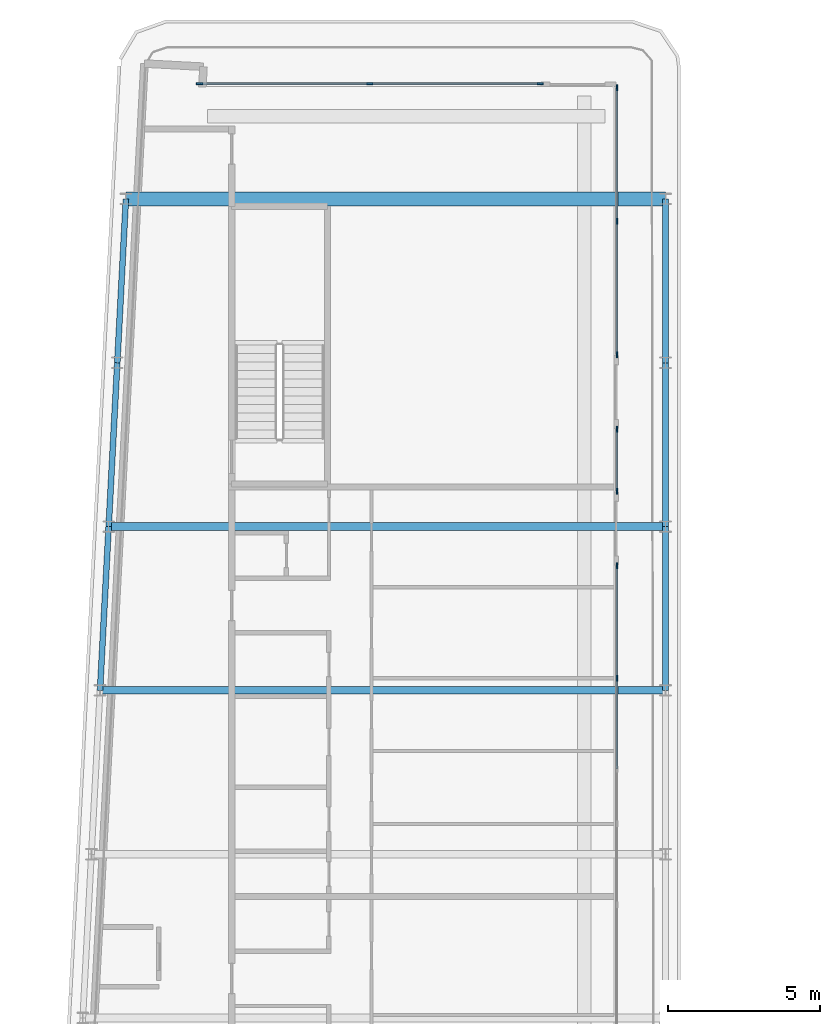
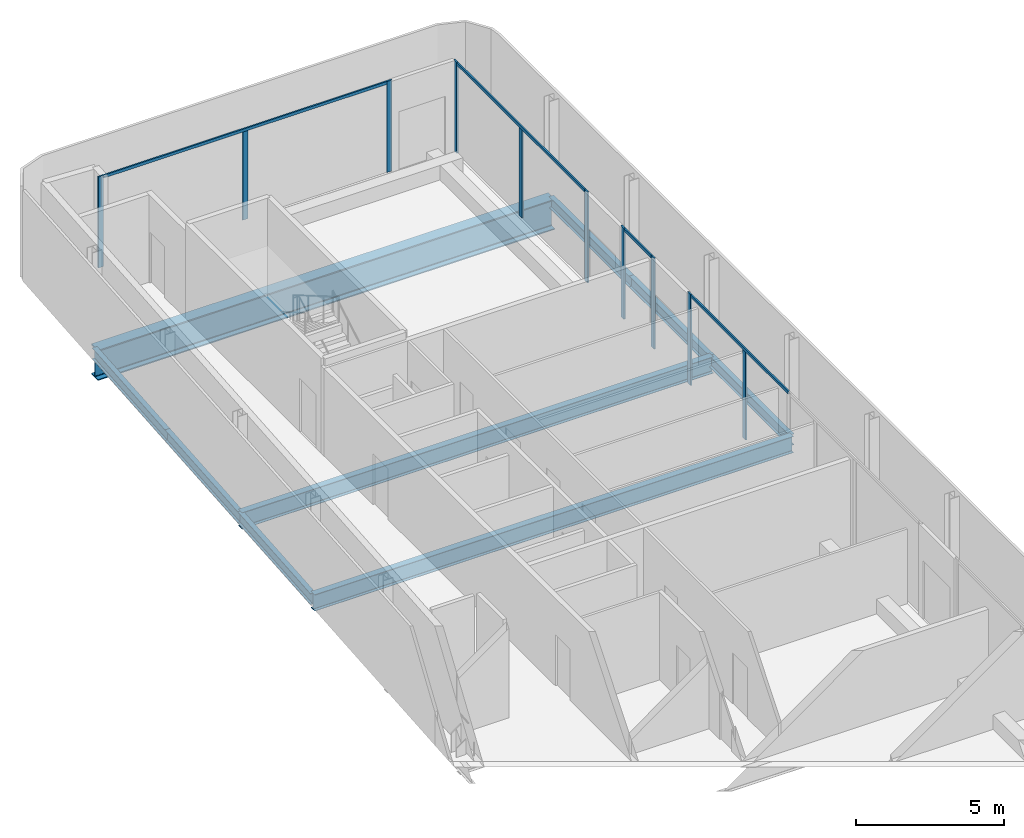
# One storey, part 6 of 19: 14 members, 9 beams, 4 elements without a shape of their own.
"""IFC4 building model written with IfcOpenShell, lengths in metres."""

from ifc_helpers import new_model, si_unit, direction, frame, origin, origin_2d, place, context, subcontext, project, spatial, rectangle, i_section, extrude, material, layer, layer_set, material_profile, profile_set, type_object, element, aggregate, save


model = new_model("IFC4")

# Units and contexts
model_context = context("Model", 3, precision=1e-05, world=origin(), true_north=direction((0.0, 1.0)))
body_context = subcontext(model_context, "Body", "Model", "MODEL_VIEW")
ifc_project = project(units=[si_unit("LENGTHUNIT", "METRE"), si_unit("AREAUNIT", "SQUARE_METRE"), si_unit("VOLUMEUNIT", "CUBIC_METRE"), si_unit("PLANEANGLEUNIT", "RADIAN"), si_unit("MASSUNIT", "GRAM", prefix="KILO")], contexts=[model_context])

# Site, building, storey
site_placement = place(None, origin())
site = spatial("IfcSite", under=ifc_project, at=site_placement, CompositionType="ELEMENT")
building_placement = place(site_placement, origin())
building = spatial("IfcBuilding", under=site, at=building_placement, Name="Kheshtan School and Residences Tower", CompositionType="ELEMENT")
storey_placement = place(building_placement, frame((0.0, 0.0, 357.800048828125)))
storey = spatial("IfcBuildingStorey", under=building, at=storey_placement, Name="L84", CompositionType="ELEMENT", Elevation=357.800048828125)

# Beams
ifc_material_1 = material(Name="Steel ASTM A992 Grade 50", Category="steel")
ifc_material_profile_1 = material_profile(ifc_material_1, i_section(OverallWidth=0.2529296875, OverallDepth=0.677978515625, WebThickness=0.01171875, FlangeThickness=0.016357421875, FilletRadius=0.0146484375, at=origin_2d()), Name="W690x125")
ifc_profile_set_1 = profile_set([ifc_material_profile_1], Name="Steel ASTM A992 Grade 50")
beam_type_1 = type_object("IfcBeamType", Name="Beam FB6 W690x125 ASTM A992 Grade 50", PredefinedType="BEAM", material=ifc_profile_set_1)
beam_1_placement = place(storey_placement, frame((47.60009765625, 78.0, -0.489013671875), z_axis=(-1.0, 0.0, 0.0), x_axis=(0.0, -1.0, 0.0)))
element("IfcBeam", 1, at=beam_1_placement, inside=storey, type_object=beam_type_1, Name="Floor beam C089", PredefinedType="BEAM", context=body_context, shape_type="SweptSolid", body=[
    extrude(i_section(OverallWidth=0.2529296875, OverallDepth=0.677978515625, WebThickness=0.01171875, FlangeThickness=0.016357421875, FilletRadius=0.0146484375, at=origin_2d()), origin(), (0.0, 0.0, 1.0), 18.357177734375),
])
beam_2_placement = place(storey_placement, frame((28.9580078125, 72.60009765625, -0.489013671875), z_axis=(1.0, 0.0, 0.0), x_axis=(0.0, 1.0, 0.0)))
element("IfcBeam", 2, at=beam_2_placement, inside=storey, type_object=beam_type_1, Name="Floor beam C086", PredefinedType="BEAM", context=body_context, shape_type="SweptSolid", body=[
    extrude(i_section(OverallWidth=0.2529296875, OverallDepth=0.677978515625, WebThickness=0.01171875, FlangeThickness=0.016357421875, FilletRadius=0.0146484375, at=origin_2d()), origin(), (0.0, 0.0, 1.0), 18.64208984375),
])
ifc_material_profile_2 = material_profile(ifc_material_1, i_section(OverallWidth=0.18994140625, OverallDepth=0.45703125, WebThickness=0.009033203125, FlangeThickness=0.014404296875, FilletRadius=0.01318359375, at=origin_2d()), Name="W460x74")
ifc_profile_set_2 = profile_set([ifc_material_profile_2], Name="Steel ASTM A992 Grade 50")
beam_type_2 = type_object("IfcBeamType", Name="Beam SP4 W460x74 ASTM A992 Grade 50", PredefinedType="BEAM", material=ifc_profile_set_2)
beam_3_placement = place(storey_placement, frame((47.60009765625, 88.800048828125, -0.378662109375), z_axis=(0.0, -1.0, 0.0), x_axis=(1.0, 0.0, 0.0)))
element("IfcBeam", 3, at=beam_3_placement, inside=storey, type_object=beam_type_2, Name="Spandrel beam C099-C091", PredefinedType="BEAM", context=body_context, shape_type="SweptSolid", body=[
    extrude(i_section(OverallWidth=0.18994140625, OverallDepth=0.45703125, WebThickness=0.009033203125, FlangeThickness=0.014404296875, FilletRadius=0.01318359375, at=origin_2d()), origin(), (0.0, 0.0, 1.0), 5.400146484375),
])
for number, where, z_axis, x_axis, name in (
    (4, (47.60009765625, 83.39990234375, -0.378662109375), (0.0, -1.0, 0.0), (1.0, 0.0, 0.0), "Spandrel beam C091-C089"),
    (5, (47.60009765625, 78.0, -0.378662109375), (0.0, -1.0, 0.0), (1.0, 0.0, 0.0), "Spandrel beam C089-C087"),
):
    element("IfcBeam", number, at=place(storey_placement, frame(where, z_axis=z_axis, x_axis=x_axis)), inside=storey, type_object=beam_type_2, Name=name, PredefinedType="BEAM", context=body_context, shape_type="SweptSolid", body=[
        extrude(i_section(OverallWidth=0.18994140625, OverallDepth=0.45703125, WebThickness=0.009033203125, FlangeThickness=0.014404296875, FilletRadius=0.01318359375, at=origin_2d()), origin(), (0.0, 0.0, 1.0), 5.39990234375),
    ])
for number, where, z_axis, x_axis, name in (
    (6, (28.9580078125, 72.60009765625, -0.378662109375), (0.052689166816, 0.998610961136, 0.0), (-0.998610961136, 0.052689166816, 0.0), "Spandrel beam C086-C088"),
    (7, (29.242919921875, 78.0, -0.378662109375), (0.052554093665, 0.998618078766, 0.0), (-0.998618078766, 0.052554093665, 0.0), "Spandrel beam C088-C090"),
):
    element("IfcBeam", number, at=place(storey_placement, frame(where, z_axis=z_axis, x_axis=x_axis)), inside=storey, type_object=beam_type_2, Name=name, PredefinedType="BEAM", context=body_context, shape_type="SweptSolid", body=[
        extrude(i_section(OverallWidth=0.18994140625, OverallDepth=0.45703125, WebThickness=0.009033203125, FlangeThickness=0.014404296875, FilletRadius=0.01318359375, at=origin_2d()), origin(), (0.0, 0.0, 1.0), 5.407470703125),
    ])
beam_4_placement = place(storey_placement, frame((29.527099609375, 83.39990234375, -0.378662109375), z_axis=(0.05250670125, 0.998620571751, 0.0), x_axis=(-0.998620571751, 0.05250670125, 0.0)))
element("IfcBeam", 8, at=beam_4_placement, inside=storey, type_object=beam_type_2, Name="Spandrel beam C090-C098", PredefinedType="BEAM", context=body_context, shape_type="SweptSolid", body=[
    extrude(i_section(OverallWidth=0.18994140625, OverallDepth=0.45703125, WebThickness=0.009033203125, FlangeThickness=0.014404296875, FilletRadius=0.01318359375, at=origin_2d()), origin(), (0.0, 0.0, 1.0), 5.40771484375),
])

# Curtain wall, members
ifc_material_2 = material(Name="Clear low-e glass in thermally broken aluminium frame", Category="aluminium")
ifc_layer = layer(ifc_material_2, 0.199951171875)
ifc_layer_set = layer_set([ifc_layer], Name="Curtain wall CW-L")
curtain_wall_type = type_object("IfcCurtainWallType", Name="Curtain wall CW-L", PredefinedType="NOTDEFINED", material=ifc_layer_set)
curtain_wall_1_placement = place(storey_placement, origin())
curtain_wall_1 = element("IfcCurtainWall", 9, at=curtain_wall_1_placement, inside=storey, type_object=curtain_wall_type, Name="Curtain wall CWL3a", PredefinedType="NOTDEFINED")
ifc_material_3 = material(Name="Thermally broken aluminium, dark bronze anodised", Category="aluminium")
ifc_material_profile_3 = material_profile(ifc_material_3, rectangle(XDim=0.06005859375, YDim=0.199951171875, at=origin_2d()), Name="CW-L mullion 60x200")
ifc_profile_set_3 = profile_set([ifc_material_profile_3], Name="Thermally broken aluminium, dark bronze anodised")
member_type_1 = type_object("IfcMemberType", Name="CW-L mullion 60x200", PredefinedType="MULLION", material=ifc_profile_set_3)
member_1_placement = place(storey_placement, frame((32.238037109375, 92.60009765625, 0.0), z_axis=(0.0, 0.0, 1.0), x_axis=(0.0, 1.0, 0.0)))
member_1 = element("IfcMember", 10, at=member_1_placement, type_object=member_type_1, Name="CWL3a mullion 1", PredefinedType="MULLION", context=body_context, shape_type="SweptSolid", body=[
    extrude(rectangle(XDim=0.06005859375, YDim=0.199951171875, at=origin_2d()), origin(), (0.0, 0.0, 1.0), 3.75),
])
member_2_placement = place(storey_placement, frame((37.85400390625, 92.60009765625, 0.0), z_axis=(0.0, 0.0, 1.0), x_axis=(0.0, 1.0, 0.0)))
member_2 = element("IfcMember", 11, at=member_2_placement, type_object=member_type_1, Name="CWL3a mullion 2", PredefinedType="MULLION", context=body_context, shape_type="SweptSolid", body=[
    extrude(rectangle(XDim=0.06005859375, YDim=0.199951171875, at=origin_2d()), origin(), (0.0, 0.0, 1.0), 3.6298828125),
])
member_3_placement = place(storey_placement, frame((43.469970703125, 92.60009765625, 0.0), z_axis=(0.0, 0.0, 1.0), x_axis=(0.0, 1.0, 0.0)))
member_3 = element("IfcMember", 12, at=member_3_placement, type_object=member_type_1, Name="CWL3a mullion 3", PredefinedType="MULLION", context=body_context, shape_type="SweptSolid", body=[
    extrude(rectangle(XDim=0.06005859375, YDim=0.199951171875, at=origin_2d()), origin(), (0.0, 0.0, 1.0), 3.75),
])

curtain_wall_2_placement = place(storey_placement, origin())
curtain_wall_2 = element("IfcCurtainWall", 13, at=curtain_wall_2_placement, inside=storey, type_object=curtain_wall_type, Name="Curtain wall CWL4b", PredefinedType="NOTDEFINED")
member_4_placement = place(storey_placement, frame((46.0, 92.469970703125, 0.0), z_axis=(0.0, 0.0, 1.0), x_axis=(1.0, 0.0, 0.0)))
member_4 = element("IfcMember", 14, at=member_4_placement, type_object=member_type_1, Name="CWL4b mullion 1", PredefinedType="MULLION", context=body_context, shape_type="SweptSolid", body=[
    extrude(rectangle(XDim=0.06005859375, YDim=0.199951171875, at=origin_2d()), origin(), (0.0, 0.0, 1.0), 3.75),
])
member_5_placement = place(storey_placement, frame((46.0, 88.066162109375, 0.0), z_axis=(0.0, 0.0, 1.0), x_axis=(1.0, 0.0, 0.0)))
member_5 = element("IfcMember", 15, at=member_5_placement, type_object=member_type_1, Name="CWL4b mullion 2", PredefinedType="MULLION", context=body_context, shape_type="SweptSolid", body=[
    extrude(rectangle(XDim=0.06005859375, YDim=0.199951171875, at=origin_2d()), origin(), (0.0, 0.0, 1.0), 3.6298828125),
])
member_6_placement = place(storey_placement, frame((46.0, 83.66259765625, 0.0), z_axis=(0.0, 0.0, 1.0), x_axis=(1.0, 0.0, 0.0)))
member_6 = element("IfcMember", 16, at=member_6_placement, type_object=member_type_1, Name="CWL4b mullion 3", PredefinedType="MULLION", context=body_context, shape_type="SweptSolid", body=[
    extrude(rectangle(XDim=0.06005859375, YDim=0.199951171875, at=origin_2d()), origin(), (0.0, 0.0, 1.0), 3.75),
])

curtain_wall_3_placement = place(storey_placement, origin())
curtain_wall_3 = element("IfcCurtainWall", 17, at=curtain_wall_3_placement, inside=storey, type_object=curtain_wall_type, Name="Curtain wall CWL4c", PredefinedType="NOTDEFINED")
member_7_placement = place(storey_placement, frame((46.0, 81.202392578125, 0.0), z_axis=(0.0, 0.0, 1.0), x_axis=(1.0, 0.0, 0.0)))
member_7 = element("IfcMember", 18, at=member_7_placement, type_object=member_type_1, Name="CWL4c mullion 1", PredefinedType="MULLION", context=body_context, shape_type="SweptSolid", body=[
    extrude(rectangle(XDim=0.06005859375, YDim=0.199951171875, at=origin_2d()), origin(), (0.0, 0.0, 1.0), 3.75),
])
member_8_placement = place(storey_placement, frame((46.0, 79.16259765625, 0.0), z_axis=(0.0, 0.0, 1.0), x_axis=(1.0, 0.0, 0.0)))
member_8 = element("IfcMember", 19, at=member_8_placement, type_object=member_type_1, Name="CWL4c mullion 2", PredefinedType="MULLION", context=body_context, shape_type="SweptSolid", body=[
    extrude(rectangle(XDim=0.06005859375, YDim=0.199951171875, at=origin_2d()), origin(), (0.0, 0.0, 1.0), 3.75),
])

curtain_wall_4_placement = place(storey_placement, origin())
curtain_wall_4 = element("IfcCurtainWall", 20, at=curtain_wall_4_placement, inside=storey, type_object=curtain_wall_type, Name="Curtain wall CWL4l", PredefinedType="NOTDEFINED")
member_9_placement = place(storey_placement, frame((46.0, 76.702392578125, 0.0), z_axis=(0.0, 0.0, 1.0), x_axis=(1.0, 0.0, 0.0)))
member_9 = element("IfcMember", 21, at=member_9_placement, type_object=member_type_1, Name="CWL4l mullion 1", PredefinedType="MULLION", context=body_context, shape_type="SweptSolid", body=[
    extrude(rectangle(XDim=0.06005859375, YDim=0.199951171875, at=origin_2d()), origin(), (0.0, 0.0, 1.0), 3.75),
])
member_10_placement = place(storey_placement, frame((46.0, 73.0, 0.0), z_axis=(0.0, 0.0, 1.0), x_axis=(1.0, 0.0, 0.0)))
member_10 = element("IfcMember", 22, at=member_10_placement, type_object=member_type_1, Name="CWL4l mullion 2", PredefinedType="MULLION", context=body_context, shape_type="SweptSolid", body=[
    extrude(rectangle(XDim=0.06005859375, YDim=0.199951171875, at=origin_2d()), origin(), (0.0, 0.0, 1.0), 3.6298828125),
])

# Member
ifc_material_profile_4 = material_profile(ifc_material_3, rectangle(XDim=0.06005859375, YDim=0.1201171875, at=origin_2d()), Name="CW-L transom 60x120")
ifc_profile_set_4 = profile_set([ifc_material_profile_4], Name="Thermally broken aluminium, dark bronze anodised")
member_type_2 = type_object("IfcMemberType", Name="CW-L transom 60x120", PredefinedType="USERDEFINED", material=ifc_profile_set_4)
member_11_placement = place(storey_placement, frame((32.26806640625, 92.60009765625, 3.68994140625), z_axis=(1.0, 0.0, 0.0), x_axis=(0.0, 1.0, 0.0)))
member_11 = element("IfcMember", 23, at=member_11_placement, type_object=member_type_2, Name="CWL3a transom 1", ObjectType="TRANSOM", PredefinedType="USERDEFINED", context=body_context, shape_type="SweptSolid", body=[
    extrude(rectangle(XDim=0.06005859375, YDim=0.1201171875, at=origin_2d()), origin(), (0.0, 0.0, 1.0), 11.171875),
])

aggregate(curtain_wall_1, [member_1, member_2, member_3, member_11])

member_12_placement = place(storey_placement, frame((46.0, 92.43994140625, 3.68994140625), z_axis=(0.0, -1.0, 0.0), x_axis=(1.0, 0.0, 0.0)))
member_12 = element("IfcMember", 24, at=member_12_placement, type_object=member_type_2, Name="CWL4b transom 1", ObjectType="TRANSOM", PredefinedType="USERDEFINED", context=body_context, shape_type="SweptSolid", body=[
    extrude(rectangle(XDim=0.06005859375, YDim=0.1201171875, at=origin_2d()), origin(), (0.0, 0.0, 1.0), 8.74755859375),
])

aggregate(curtain_wall_2, [member_4, member_5, member_6, member_12])

member_13_placement = place(storey_placement, frame((46.0, 81.172607421875, 3.68994140625), z_axis=(0.0, -1.0, 0.0), x_axis=(1.0, 0.0, 0.0)))
member_13 = element("IfcMember", 25, at=member_13_placement, type_object=member_type_2, Name="CWL4c transom 1", ObjectType="TRANSOM", PredefinedType="USERDEFINED", context=body_context, shape_type="SweptSolid", body=[
    extrude(rectangle(XDim=0.06005859375, YDim=0.1201171875, at=origin_2d()), origin(), (0.0, 0.0, 1.0), 1.980224609375),
])

aggregate(curtain_wall_3, [member_7, member_8, member_13])

member_14_placement = place(storey_placement, frame((46.0, 76.672607421875, 3.68994140625), z_axis=(0.0, -1.0, 0.0), x_axis=(1.0, 0.0, 0.0)))
member_14 = element("IfcMember", 26, at=member_14_placement, type_object=member_type_2, Name="CWL4l transom 1", ObjectType="TRANSOM", PredefinedType="USERDEFINED", context=body_context, shape_type="SweptSolid", body=[
    extrude(rectangle(XDim=0.06005859375, YDim=0.1201171875, at=origin_2d()), origin(), (0.0, 0.0, 1.0), 6.647705078125),
])

aggregate(curtain_wall_4, [member_9, member_10, member_14])

# Beam
ifc_material_profile_5 = material_profile(ifc_material_1, i_section(OverallWidth=0.449951171875, OverallDepth=1.25, WebThickness=0.02490234375, FlangeThickness=0.044921875, FilletRadius=0.03759765625, at=origin_2d()), Name="WWF1250x546")
ifc_profile_set_5 = profile_set([ifc_material_profile_5], Name="Steel ASTM A992 Grade 50")
beam_type_3 = type_object("IfcBeamType", Name="Transfer girder TG4 WWF1250x546 ASTM A992 Grade 50", PredefinedType="BEAM", material=ifc_profile_set_5)
beam_5_placement = place(storey_placement, frame((29.81103515625, 88.800048828125, -0.775146484375), z_axis=(1.0, 0.0, 0.0), x_axis=(0.0, 1.0, 0.0)))
element("IfcBeam", 27, at=beam_5_placement, inside=storey, type_object=beam_type_3, Name="Transfer girder C098-C099", PredefinedType="BEAM", context=body_context, shape_type="SweptSolid", body=[
    extrude(i_section(OverallWidth=0.449951171875, OverallDepth=1.25, WebThickness=0.02490234375, FlangeThickness=0.044921875, FilletRadius=0.03759765625, at=origin_2d()), origin(), (0.0, 0.0, 1.0), 17.7890625),
])

save(model, "model.ifc")
